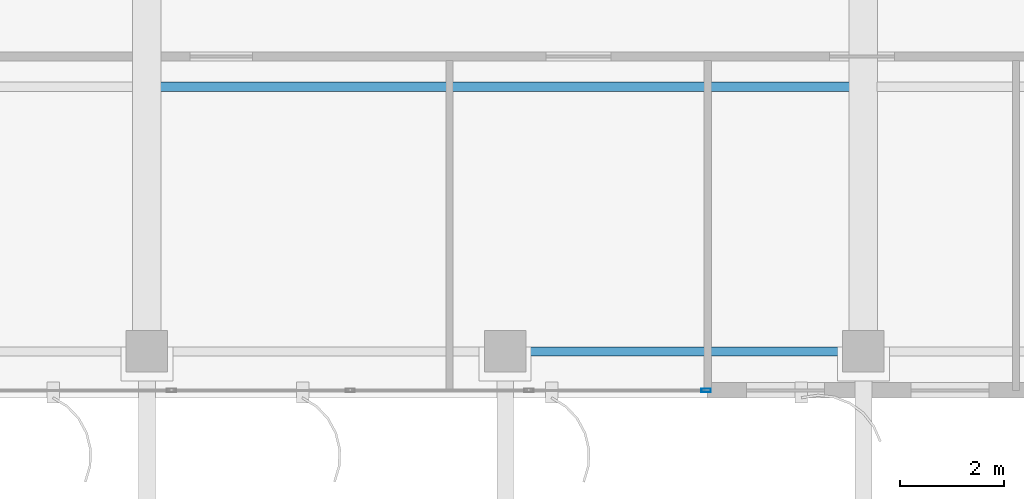
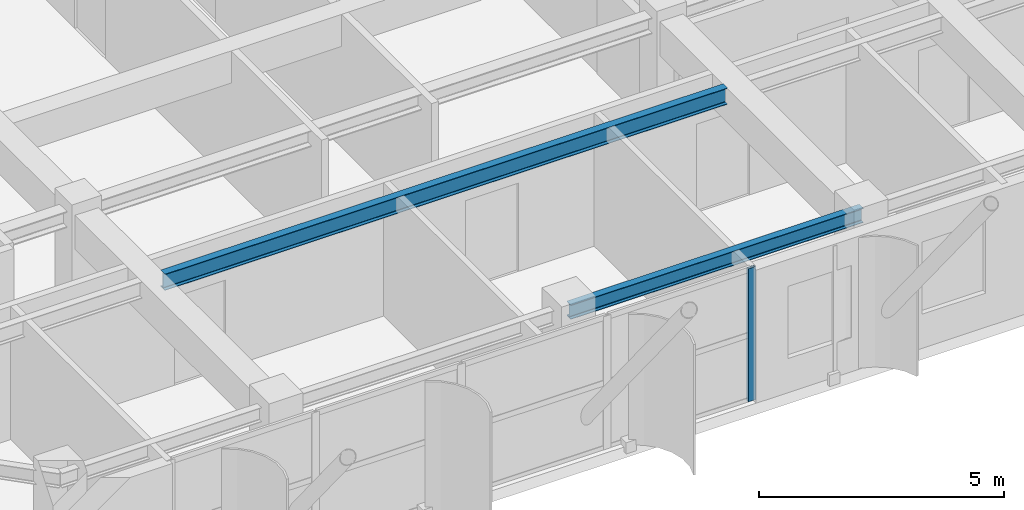
# One storey, part 5 of 22: 2 beams, 1 member, 1 element without a shape of its own.
"""IFC4 building model written with IfcOpenShell, lengths in metres."""

from ifc_helpers import new_model, si_unit, direction, frame, origin, origin_2d, place, context, subcontext, project, spatial, hollow_rectangle, i_section, extrude, source, transform, mapped, material, layer, layer_set, material_profile, profile_set, type_object, element, aggregate, save


model = new_model("IFC4")

# Units and contexts
model_context = context("Model", 3, precision=1e-05, world=origin(), true_north=direction((0.0, 1.0)))
body_context = subcontext(model_context, "Body", "Model", "MODEL_VIEW")
ifc_project = project(units=[si_unit("LENGTHUNIT", "METRE"), si_unit("AREAUNIT", "SQUARE_METRE"), si_unit("VOLUMEUNIT", "CUBIC_METRE"), si_unit("PLANEANGLEUNIT", "RADIAN"), si_unit("MASSUNIT", "GRAM", prefix="KILO")], contexts=[model_context])

# Site, building, storey
site_placement = place(None, origin())
site = spatial("IfcSite", under=ifc_project, at=site_placement, CompositionType="ELEMENT")
building_placement = place(site_placement, origin())
building = spatial("IfcBuilding", under=site, at=building_placement, Name="Khoralis Quay Care Tower", CompositionType="ELEMENT")
storey_placement = place(building_placement, frame((0.0, 0.0, 278.10009765625)))
storey = spatial("IfcBuildingStorey", under=building, at=storey_placement, Name="L73", CompositionType="ELEMENT", Elevation=278.10009765625)

# Beams
ifc_material_1 = material(Name="Steel S355", Category="steel")
ifc_material_profile_1 = material_profile(ifc_material_1, i_section(OverallWidth=0.169921875, OverallDepth=0.360107421875, WebThickness=0.008056640625, FlangeThickness=0.0126953125, FilletRadius=0.01806640625, at=origin_2d()), Name="Steel S355")
ifc_profile_set_1 = profile_set([ifc_material_profile_1], Name="Steel S355")
beam_type_1 = type_object("IfcBeamType", Name="BM-IPE360", PredefinedType="SPANDREL", material=ifc_profile_set_1)
shared_shape_1 = source(origin(), body_context, "Body", "SweptSolid", [
    extrude(i_section(OverallWidth=0.169921875, OverallDepth=0.360107421875, WebThickness=0.008056640625, FlangeThickness=0.0126953125, FilletRadius=0.01806640625, at=origin_2d()), origin(), (0.0, 0.0, 1.0), 6.89990234375),
])
beam_1_placement = place(storey_placement, frame((24.0, 3.89990234375, 3.139892578125), z_axis=(1.0, 0.0, 0.0), x_axis=(0.0, 1.0, 0.0)))
element("IfcBeam", 1, at=beam_1_placement, inside=storey, type_object=beam_type_1, Name="BM-TSP-L73-03", PredefinedType="SPANDREL", context=body_context, shape_type="MappedRepresentation", body=[
    mapped(shared_shape_1, transform((0.0, 0.0, 0.0), scale=1.0)),
])
ifc_material_profile_2 = material_profile(ifc_material_1, i_section(OverallWidth=0.177978515625, OverallDepth=0.406982421875, WebThickness=0.0078125, FlangeThickness=0.0126953125, FilletRadius=0.012939453125, at=origin_2d()), Name="Steel S355")
ifc_profile_set_2 = profile_set([ifc_material_profile_2], Name="Steel S355")
beam_type_2 = type_object("IfcBeamType", Name="BM-W410X60", PredefinedType="JOIST", material=ifc_profile_set_2)
shared_shape_2 = source(origin(), body_context, "Body", "SweptSolid", [
    extrude(i_section(OverallWidth=0.177978515625, OverallDepth=0.406982421875, WebThickness=0.0078125, FlangeThickness=0.0126953125, FilletRadius=0.012939453125, at=origin_2d()), origin(), (0.0, 0.0, 1.0), 13.27392578125),
])
beam_2_placement = place(storey_placement, frame((17.363037109375, 9.0, 3.116455078125), z_axis=(1.0, 0.0, 0.0), x_axis=(0.0, 1.0, 0.0)))
element("IfcBeam", 2, at=beam_2_placement, inside=storey, type_object=beam_type_2, Name="BM-TJS-L73-23", PredefinedType="JOIST", context=body_context, shape_type="MappedRepresentation", body=[
    mapped(shared_shape_2, transform((0.0, 0.0, 0.0), scale=1.0)),
])

# Curtain wall, member
ifc_material_2 = material(Name="Pale anodised aluminium", Category="aluminium")
ifc_layer = layer(ifc_material_2, 0.159912109375)
ifc_layer_set = layer_set([ifc_layer], Name="Pale anodised aluminium")
curtain_wall_type = type_object("IfcCurtainWallType", Name="CW-SYS-Z3", PredefinedType="NOTDEFINED", material=ifc_layer_set)
curtain_wall_placement = place(storey_placement, origin())
curtain_wall = element("IfcCurtainWall", 3, at=curtain_wall_placement, inside=storey, type_object=curtain_wall_type, Name="L73 Unitised Curtain Wall CW-L73-P1-E0", PredefinedType="NOTDEFINED")
ifc_material_profile_3 = material_profile(ifc_material_2, hollow_rectangle(XDim=0.06494140625, YDim=0.179931640625, WallThickness=0.00390625, at=origin_2d()), Name="Pale anodised aluminium")
ifc_profile_set_3 = profile_set([ifc_material_profile_3], Name="Pale anodised aluminium")
member_type = type_object("IfcMemberType", Name="CW-MUL-180", PredefinedType="MULLION", material=ifc_profile_set_3)
shared_shape_3 = source(origin(), body_context, "Body", "SweptSolid", [
    extrude(hollow_rectangle(XDim=0.06494140625, YDim=0.179931640625, WallThickness=0.00390625, at=origin_2d()), origin(), (0.0, 0.0, 1.0), 3.31982421875),
])
member_placement = place(storey_placement, frame((27.8701171875, 3.14990234375, 0.0), z_axis=(0.0, 0.0, 1.0), x_axis=(0.0, 1.0, 0.0)))
member = element("IfcMember", 4, at=member_placement, type_object=member_type, Name="CW3 mullion 5", PredefinedType="MULLION", context=body_context, shape_type="MappedRepresentation", body=[
    mapped(shared_shape_3, transform((0.0, 0.0, 0.0), scale=1.0)),
])
aggregate(curtain_wall, [member])

save(model, "model.ifc")
